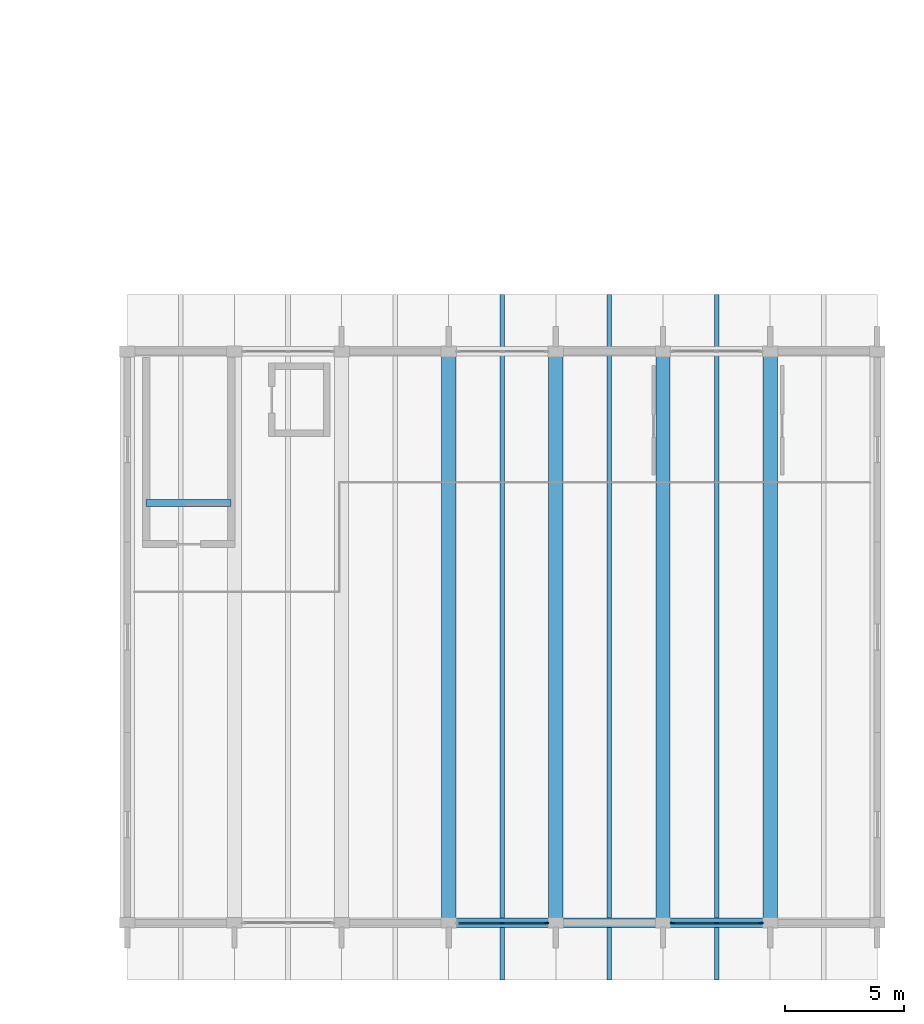
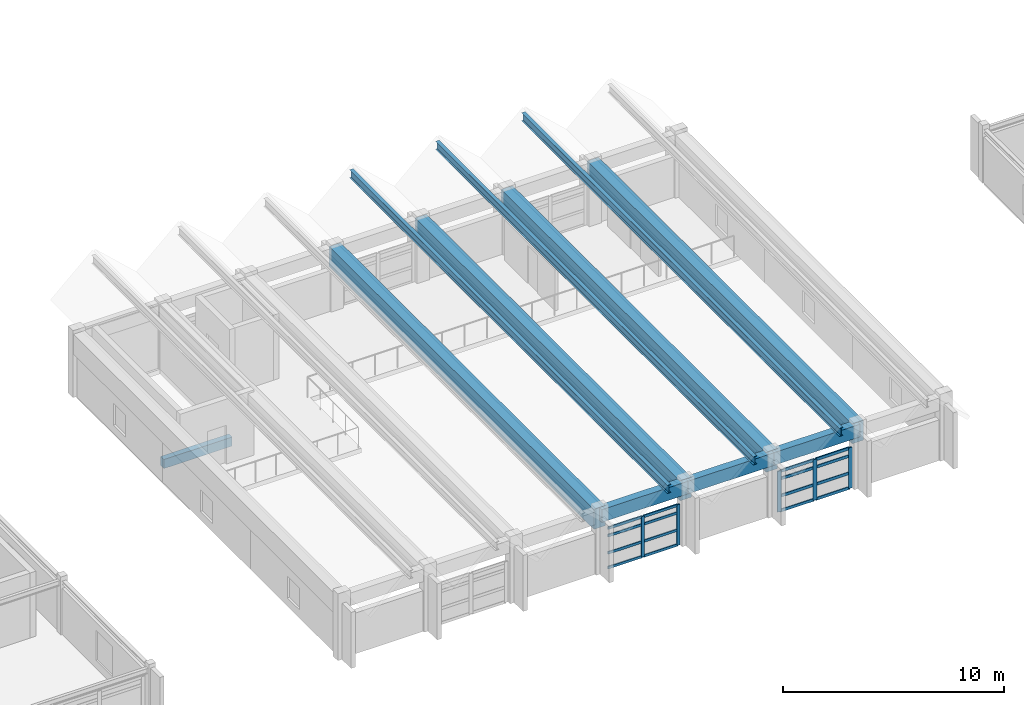
# One storey, part 14 of 83: 21 members, 11 beams, 2 elements without a shape of their own.
"""IFC4 building model written with IfcOpenShell, lengths in metres."""

from ifc_helpers import new_model, si_unit, direction, frame, origin, origin_2d, place, context, subcontext, project, spatial, rectangle, i_section, extrude, material, material_profile, profile_set, type_object, element, aggregate, save


model = new_model("IFC4")

# Units and contexts
model_context = context("Model", 3, precision=1e-05, world=origin(), true_north=direction((0.0, 1.0)))
body_context = subcontext(model_context, "Body", "Model", "MODEL_VIEW")
ifc_project = project(units=[si_unit("LENGTHUNIT", "METRE"), si_unit("AREAUNIT", "SQUARE_METRE"), si_unit("VOLUMEUNIT", "CUBIC_METRE"), si_unit("PLANEANGLEUNIT", "RADIAN"), si_unit("MASSUNIT", "GRAM", prefix="KILO")], contexts=[model_context])

# Site, building, storey
site_placement = place(None, origin())
site = spatial("IfcSite", under=ifc_project, at=site_placement, CompositionType="ELEMENT")
building_placement = place(site_placement, origin())
building = spatial("IfcBuilding", under=site, at=building_placement, Name="Zimvara Arc Housing Community", CompositionType="ELEMENT")
storey_placement = place(building_placement, frame((0.0, 0.0, 4.5)))
storey = spatial("IfcBuildingStorey", under=building, at=storey_placement, Name="L01", CompositionType="ELEMENT", Elevation=4.5)

# Beams
ifc_material_1 = material(Name="Concrete C40/50", Category="concrete")
ifc_material_profile_1 = material_profile(ifc_material_1, rectangle(XDim=0.300048828125, YDim=0.5, at=origin_2d()), Name="RC 300x500")
ifc_profile_set_1 = profile_set([ifc_material_profile_1], Name="Concrete C40/50")
beam_type_1 = type_object("IfcBeamType", Name="BM-RC-300x500", PredefinedType="BEAM", material=ifc_profile_set_1)
beam_placement = place(storey_placement, frame((72.364990234375, 21.22998046875, -0.25), z_axis=(-1.0, 0.0, 0.0), x_axis=(0.0, -1.0, 0.0)))
element("IfcBeam", 1, at=beam_placement, inside=storey, type_object=beam_type_1, Name="bm:stair_trim:ST-H1:L01:near", PredefinedType="BEAM", context=body_context, shape_type="SweptSolid", body=[
    extrude(rectangle(XDim=0.300048828125, YDim=0.5, at=origin_2d()), origin(), (0.0, 0.0, 1.0), 3.570068359375),
])
ifc_material_2 = material(Name="Concrete C40/50", Category="concrete")
ifc_material_profile_2 = material_profile(ifc_material_2, rectangle(XDim=0.39990234375, YDim=0.699951171875, at=origin_2d()), Name="RC 400x700")
ifc_profile_set_2 = profile_set([ifc_material_profile_2], Name="Concrete C40/50")
beam_type_2 = type_object("IfcBeamType", Name="BM-RC-400x700", PredefinedType="BEAM", material=ifc_profile_set_2)
for number, where, z_axis, x_axis, name in (
    (2, (81.5, 3.60009765625, 3.14990234375), (1.0, 0.0, 0.0), (0.0, 1.0, 0.0), "bm:hall:L01:eave:y0:b3"),
    (3, (86.0, 3.60009765625, 3.14990234375), (1.0, 0.0, 0.0), (0.0, 1.0, 0.0), "bm:hall:L01:eave:y0:b4"),
    (4, (90.5, 3.60009765625, 3.14990234375), (1.0, 0.0, 0.0), (0.0, 1.0, 0.0), "bm:hall:L01:eave:y0:b5"),
):
    element("IfcBeam", number, at=place(storey_placement, frame(where, z_axis=z_axis, x_axis=x_axis)), inside=storey, type_object=beam_type_2, Name=name, PredefinedType="BEAM", context=body_context, shape_type="SweptSolid", body=[
        extrude(rectangle(XDim=0.39990234375, YDim=0.699951171875, at=origin_2d()), origin(), (0.0, 0.0, 1.0), 4.5),
    ])
ifc_material_3 = material(Name="Concrete C40/50", Category="concrete")
ifc_material_profile_3 = material_profile(ifc_material_3, rectangle(XDim=0.60009765625, YDim=1.10009765625, at=origin_2d()), Name="RC 600x1100")
ifc_profile_set_3 = profile_set([ifc_material_profile_3], Name="Concrete C40/50")
beam_type_3 = type_object("IfcBeamType", Name="BM-RC-600x1100", PredefinedType="BEAM", material=ifc_profile_set_3)
for number, where, z_axis, x_axis, name in (
    (5, (81.5, 3.60009765625, 2.949951171875), (0.0, 1.0, 0.0), (-1.0, 0.0, 0.0), "bm:hall:L01:valley:b3"),
    (6, (86.0, 3.60009765625, 2.949951171875), (0.0, 1.0, 0.0), (-1.0, 0.0, 0.0), "bm:hall:L01:valley:b4"),
    (7, (90.5, 3.60009765625, 2.949951171875), (0.0, 1.0, 0.0), (-1.0, 0.0, 0.0), "bm:hall:L01:valley:b5"),
    (8, (95.0, 3.60009765625, 2.949951171875), (0.0, 1.0, 0.0), (-1.0, 0.0, 0.0), "bm:hall:L01:valley:b6"),
):
    element("IfcBeam", number, at=place(storey_placement, frame(where, z_axis=z_axis, x_axis=x_axis)), inside=storey, type_object=beam_type_3, Name=name, PredefinedType="BEAM", context=body_context, shape_type="SweptSolid", body=[
        extrude(rectangle(XDim=0.60009765625, YDim=1.10009765625, at=origin_2d()), origin(), (0.0, 0.0, 1.0), 24.0),
    ])
ifc_material_4 = material(Name="Steel S355", Category="steel")
ifc_material_profile_4 = material_profile(ifc_material_4, i_section(OverallWidth=0.18994140625, OverallDepth=0.449951171875, WebThickness=0.009521484375, FlangeThickness=0.0146484375, FilletRadius=0.02099609375, at=origin_2d()), Name="IPE 450")
ifc_profile_set_4 = profile_set([ifc_material_profile_4], Name="Steel S355")
beam_type_4 = type_object("IfcBeamType", Name="BM-ST-IPE450", PredefinedType="BEAM", material=ifc_profile_set_4)
for number, where, z_axis, x_axis, name in (
    (9, (83.75, 1.199951171875, 5.199951171875), (0.0, 1.0, 0.0), (-1.0, 0.0, 0.0), "bm:hall:L01:ridge:b3"),
    (10, (88.25, 1.199951171875, 5.199951171875), (0.0, 1.0, 0.0), (-1.0, 0.0, 0.0), "bm:hall:L01:ridge:b4"),
    (11, (92.75, 1.199951171875, 5.199951171875), (0.0, 1.0, 0.0), (-1.0, 0.0, 0.0), "bm:hall:L01:ridge:b5"),
):
    element("IfcBeam", number, at=place(storey_placement, frame(where, z_axis=z_axis, x_axis=x_axis)), inside=storey, type_object=beam_type_4, Name=name, PredefinedType="BEAM", context=body_context, shape_type="SweptSolid", body=[
        extrude(i_section(OverallWidth=0.18994140625, OverallDepth=0.449951171875, WebThickness=0.009521484375, FlangeThickness=0.0146484375, FilletRadius=0.02099609375, at=origin_2d()), origin(), (0.0, 0.0, 1.0), 28.800048828125),
    ])

# Curtain wall, members
ifc_material_5 = material(Name="Anodised Aluminium AW-6063", Category="aluminium")
curtain_wall_type_1 = type_object("IfcCurtainWallType", Name="CW-SYS-04", PredefinedType="USERDEFINED", material=ifc_material_5)
curtain_wall_1_placement = place(storey_placement, origin())
curtain_wall_1 = element("IfcCurtainWall", 12, at=curtain_wall_1_placement, inside=storey, type_object=curtain_wall_type_1, Name="cw:hall:L01:south:b3", ObjectType="CURTAIN WALL", PredefinedType="USERDEFINED")
ifc_material_6 = material(Name="Anodised Aluminium AW-6063", Category="aluminium")
ifc_material_profile_5 = material_profile(ifc_material_6, rectangle(XDim=0.06494140625, YDim=0.179931640625, at=origin_2d()), Name="ALU 65x180")
ifc_profile_set_5 = profile_set([ifc_material_profile_5], Name="Anodised Aluminium AW-6063")
member_type_1 = type_object("IfcMemberType", Name="CWM-65x150", PredefinedType="MULLION", material=ifc_profile_set_5)
member_1_placement = place(storey_placement, frame((83.75, 3.60009765625, 0.0), z_axis=(0.0, 0.0, 1.0), x_axis=(0.0, 1.0, 0.0)))
member_1 = element("IfcMember", 13, at=member_1_placement, type_object=member_type_1, Name="CW04 mullion 2", PredefinedType="MULLION", context=body_context, shape_type="SweptSolid", body=[
    extrude(rectangle(XDim=0.06494140625, YDim=0.179931640625, at=origin_2d()), origin(), (0.0, 0.0, 1.0), 2.25),
])
member_2_placement = place(storey_placement, frame((85.607421875, 3.60009765625, 0.0), z_axis=(0.0, 0.0, 1.0), x_axis=(0.0, 1.0, 0.0)))
member_2 = element("IfcMember", 14, at=member_2_placement, type_object=member_type_1, Name="CW04 mullion 3", PredefinedType="MULLION", context=body_context, shape_type="SweptSolid", body=[
    extrude(rectangle(XDim=0.06494140625, YDim=0.179931640625, at=origin_2d()), origin(), (0.0, 0.0, 1.0), 2.25),
])

ifc_material_7 = material(Name="Anodised Aluminium AW-6063", Category="aluminium")
curtain_wall_type_2 = type_object("IfcCurtainWallType", Name="CW-SYS-05", PredefinedType="USERDEFINED", material=ifc_material_7)
curtain_wall_2_placement = place(storey_placement, origin())
curtain_wall_2 = element("IfcCurtainWall", 15, at=curtain_wall_2_placement, inside=storey, type_object=curtain_wall_type_2, Name="cw:hall:L01:south:b5", ObjectType="CURTAIN WALL", PredefinedType="USERDEFINED")
ifc_material_8 = material(Name="Anodised Aluminium AW-6063", Category="aluminium")
ifc_material_profile_6 = material_profile(ifc_material_8, rectangle(XDim=0.06494140625, YDim=0.195068359375, at=origin_2d()), Name="ALU 65x195")
ifc_profile_set_6 = profile_set([ifc_material_profile_6], Name="Anodised Aluminium AW-6063")
member_type_2 = type_object("IfcMemberType", Name="CWM-65x180", PredefinedType="MULLION", material=ifc_profile_set_6)
member_3_placement = place(storey_placement, frame((90.892578125, 3.60009765625, 0.0), z_axis=(0.0, 0.0, 1.0), x_axis=(0.0, 1.0, 0.0)))
member_3 = element("IfcMember", 16, at=member_3_placement, type_object=member_type_2, Name="CW05 mullion 1", PredefinedType="MULLION", context=body_context, shape_type="SweptSolid", body=[
    extrude(rectangle(XDim=0.06494140625, YDim=0.195068359375, at=origin_2d()), origin(), (0.0, 0.0, 1.0), 2.25),
])
member_4_placement = place(storey_placement, frame((92.75, 3.60009765625, 0.0), z_axis=(0.0, 0.0, 1.0), x_axis=(0.0, 1.0, 0.0)))
member_4 = element("IfcMember", 17, at=member_4_placement, type_object=member_type_2, Name="CW05 mullion 2", PredefinedType="MULLION", context=body_context, shape_type="SweptSolid", body=[
    extrude(rectangle(XDim=0.06494140625, YDim=0.195068359375, at=origin_2d()), origin(), (0.0, 0.0, 1.0), 2.25),
])
member_5_placement = place(storey_placement, frame((94.607421875, 3.60009765625, 0.0), z_axis=(0.0, 0.0, 1.0), x_axis=(0.0, 1.0, 0.0)))
member_5 = element("IfcMember", 18, at=member_5_placement, type_object=member_type_2, Name="CW05 mullion 3", PredefinedType="MULLION", context=body_context, shape_type="SweptSolid", body=[
    extrude(rectangle(XDim=0.06494140625, YDim=0.195068359375, at=origin_2d()), origin(), (0.0, 0.0, 1.0), 2.25),
])

# Member
ifc_material_9 = material(Name="Anodised Aluminium AW-6063", Category="aluminium")
ifc_material_profile_7 = material_profile(ifc_material_9, rectangle(XDim=0.06494140625, YDim=0.139892578125, at=origin_2d()), Name="ALU 65x140")
ifc_profile_set_7 = profile_set([ifc_material_profile_7], Name="Anodised Aluminium AW-6063")
member_type_3 = type_object("IfcMemberType", Name="CWT-65x120", PredefinedType="USERDEFINED", material=ifc_profile_set_7)
member_6_placement = place(storey_placement, frame((81.925048828125, 3.60009765625, 0.032470703125), z_axis=(1.0, 0.0, 0.0), x_axis=(0.0, 1.0, 0.0)))
member_6 = element("IfcMember", 19, at=member_6_placement, type_object=member_type_3, Name="CW04 transom 1.1", ObjectType="TRANSOM", PredefinedType="USERDEFINED", context=body_context, shape_type="SweptSolid", body=[
    extrude(rectangle(XDim=0.06494140625, YDim=0.139892578125, at=origin_2d()), origin(), (0.0, 0.0, 1.0), 1.79248046875),
])

member_7_placement = place(storey_placement, frame((81.925048828125, 3.60009765625, 0.85009765625), z_axis=(1.0, 0.0, 0.0), x_axis=(0.0, 1.0, 0.0)))
member_7 = element("IfcMember", 20, at=member_7_placement, type_object=member_type_3, Name="CW04 transom 1.2", ObjectType="TRANSOM", PredefinedType="USERDEFINED", context=body_context, shape_type="SweptSolid", body=[
    extrude(rectangle(XDim=0.06494140625, YDim=0.139892578125, at=origin_2d()), origin(), (0.0, 0.0, 1.0), 1.79248046875),
])

member_8_placement = place(storey_placement, frame((81.925048828125, 3.60009765625, 1.800048828125), z_axis=(1.0, 0.0, 0.0), x_axis=(0.0, 1.0, 0.0)))
member_8 = element("IfcMember", 21, at=member_8_placement, type_object=member_type_3, Name="CW04 transom 1.3", ObjectType="TRANSOM", PredefinedType="USERDEFINED", context=body_context, shape_type="SweptSolid", body=[
    extrude(rectangle(XDim=0.06494140625, YDim=0.139892578125, at=origin_2d()), origin(), (0.0, 0.0, 1.0), 1.79248046875),
])

member_9_placement = place(storey_placement, frame((81.925048828125, 3.60009765625, 2.217529296875), z_axis=(1.0, 0.0, 0.0), x_axis=(0.0, 1.0, 0.0)))
member_9 = element("IfcMember", 22, at=member_9_placement, type_object=member_type_3, Name="CW04 transom 1.4", ObjectType="TRANSOM", PredefinedType="USERDEFINED", context=body_context, shape_type="SweptSolid", body=[
    extrude(rectangle(XDim=0.06494140625, YDim=0.139892578125, at=origin_2d()), origin(), (0.0, 0.0, 1.0), 1.79248046875),
])

member_10_placement = place(storey_placement, frame((83.782470703125, 3.60009765625, 0.032470703125), z_axis=(1.0, 0.0, 0.0), x_axis=(0.0, 1.0, 0.0)))
member_10 = element("IfcMember", 23, at=member_10_placement, type_object=member_type_3, Name="CW04 transom 2.1", ObjectType="TRANSOM", PredefinedType="USERDEFINED", context=body_context, shape_type="SweptSolid", body=[
    extrude(rectangle(XDim=0.06494140625, YDim=0.139892578125, at=origin_2d()), origin(), (0.0, 0.0, 1.0), 1.79248046875),
])

member_11_placement = place(storey_placement, frame((83.782470703125, 3.60009765625, 0.85009765625), z_axis=(1.0, 0.0, 0.0), x_axis=(0.0, 1.0, 0.0)))
member_11 = element("IfcMember", 24, at=member_11_placement, type_object=member_type_3, Name="CW04 transom 2.2", ObjectType="TRANSOM", PredefinedType="USERDEFINED", context=body_context, shape_type="SweptSolid", body=[
    extrude(rectangle(XDim=0.06494140625, YDim=0.139892578125, at=origin_2d()), origin(), (0.0, 0.0, 1.0), 1.79248046875),
])

member_12_placement = place(storey_placement, frame((83.782470703125, 3.60009765625, 1.800048828125), z_axis=(1.0, 0.0, 0.0), x_axis=(0.0, 1.0, 0.0)))
member_12 = element("IfcMember", 25, at=member_12_placement, type_object=member_type_3, Name="CW04 transom 2.3", ObjectType="TRANSOM", PredefinedType="USERDEFINED", context=body_context, shape_type="SweptSolid", body=[
    extrude(rectangle(XDim=0.06494140625, YDim=0.139892578125, at=origin_2d()), origin(), (0.0, 0.0, 1.0), 1.79248046875),
])

member_13_placement = place(storey_placement, frame((83.782470703125, 3.60009765625, 2.217529296875), z_axis=(1.0, 0.0, 0.0), x_axis=(0.0, 1.0, 0.0)))
member_13 = element("IfcMember", 26, at=member_13_placement, type_object=member_type_3, Name="CW04 transom 2.4", ObjectType="TRANSOM", PredefinedType="USERDEFINED", context=body_context, shape_type="SweptSolid", body=[
    extrude(rectangle(XDim=0.06494140625, YDim=0.139892578125, at=origin_2d()), origin(), (0.0, 0.0, 1.0), 1.79248046875),
])

aggregate(curtain_wall_1, [member_1, member_2, member_6, member_7, member_8, member_9, member_10, member_11, member_12, member_13])

ifc_material_10 = material(Name="Anodised Aluminium AW-6063", Category="aluminium")
ifc_material_profile_8 = material_profile(ifc_material_10, rectangle(XDim=0.06494140625, YDim=0.155029296875, at=origin_2d()), Name="ALU 65x155")
ifc_profile_set_8 = profile_set([ifc_material_profile_8], Name="Anodised Aluminium AW-6063")
member_type_4 = type_object("IfcMemberType", Name="CWT-65x140", PredefinedType="USERDEFINED", material=ifc_profile_set_8)
member_14_placement = place(storey_placement, frame((90.925048828125, 3.60009765625, 0.032470703125), z_axis=(1.0, 0.0, 0.0), x_axis=(0.0, 1.0, 0.0)))
member_14 = element("IfcMember", 27, at=member_14_placement, type_object=member_type_4, Name="CW05 transom 1.1", ObjectType="TRANSOM", PredefinedType="USERDEFINED", context=body_context, shape_type="SweptSolid", body=[
    extrude(rectangle(XDim=0.06494140625, YDim=0.155029296875, at=origin_2d()), origin(), (0.0, 0.0, 1.0), 1.79248046875),
])

member_15_placement = place(storey_placement, frame((90.925048828125, 3.60009765625, 0.85009765625), z_axis=(1.0, 0.0, 0.0), x_axis=(0.0, 1.0, 0.0)))
member_15 = element("IfcMember", 28, at=member_15_placement, type_object=member_type_4, Name="CW05 transom 1.2", ObjectType="TRANSOM", PredefinedType="USERDEFINED", context=body_context, shape_type="SweptSolid", body=[
    extrude(rectangle(XDim=0.06494140625, YDim=0.155029296875, at=origin_2d()), origin(), (0.0, 0.0, 1.0), 1.79248046875),
])

member_16_placement = place(storey_placement, frame((90.925048828125, 3.60009765625, 1.800048828125), z_axis=(1.0, 0.0, 0.0), x_axis=(0.0, 1.0, 0.0)))
member_16 = element("IfcMember", 29, at=member_16_placement, type_object=member_type_4, Name="CW05 transom 1.3", ObjectType="TRANSOM", PredefinedType="USERDEFINED", context=body_context, shape_type="SweptSolid", body=[
    extrude(rectangle(XDim=0.06494140625, YDim=0.155029296875, at=origin_2d()), origin(), (0.0, 0.0, 1.0), 1.79248046875),
])

member_17_placement = place(storey_placement, frame((90.925048828125, 3.60009765625, 2.217529296875), z_axis=(1.0, 0.0, 0.0), x_axis=(0.0, 1.0, 0.0)))
member_17 = element("IfcMember", 30, at=member_17_placement, type_object=member_type_4, Name="CW05 transom 1.4", ObjectType="TRANSOM", PredefinedType="USERDEFINED", context=body_context, shape_type="SweptSolid", body=[
    extrude(rectangle(XDim=0.06494140625, YDim=0.155029296875, at=origin_2d()), origin(), (0.0, 0.0, 1.0), 1.79248046875),
])

member_18_placement = place(storey_placement, frame((92.782470703125, 3.60009765625, 0.032470703125), z_axis=(1.0, 0.0, 0.0), x_axis=(0.0, 1.0, 0.0)))
member_18 = element("IfcMember", 31, at=member_18_placement, type_object=member_type_4, Name="CW05 transom 2.1", ObjectType="TRANSOM", PredefinedType="USERDEFINED", context=body_context, shape_type="SweptSolid", body=[
    extrude(rectangle(XDim=0.06494140625, YDim=0.155029296875, at=origin_2d()), origin(), (0.0, 0.0, 1.0), 1.79248046875),
])

member_19_placement = place(storey_placement, frame((92.782470703125, 3.60009765625, 0.85009765625), z_axis=(1.0, 0.0, 0.0), x_axis=(0.0, 1.0, 0.0)))
member_19 = element("IfcMember", 32, at=member_19_placement, type_object=member_type_4, Name="CW05 transom 2.2", ObjectType="TRANSOM", PredefinedType="USERDEFINED", context=body_context, shape_type="SweptSolid", body=[
    extrude(rectangle(XDim=0.06494140625, YDim=0.155029296875, at=origin_2d()), origin(), (0.0, 0.0, 1.0), 1.79248046875),
])

member_20_placement = place(storey_placement, frame((92.782470703125, 3.60009765625, 1.800048828125), z_axis=(1.0, 0.0, 0.0), x_axis=(0.0, 1.0, 0.0)))
member_20 = element("IfcMember", 33, at=member_20_placement, type_object=member_type_4, Name="CW05 transom 2.3", ObjectType="TRANSOM", PredefinedType="USERDEFINED", context=body_context, shape_type="SweptSolid", body=[
    extrude(rectangle(XDim=0.06494140625, YDim=0.155029296875, at=origin_2d()), origin(), (0.0, 0.0, 1.0), 1.79248046875),
])

member_21_placement = place(storey_placement, frame((92.782470703125, 3.60009765625, 2.217529296875), z_axis=(1.0, 0.0, 0.0), x_axis=(0.0, 1.0, 0.0)))
member_21 = element("IfcMember", 34, at=member_21_placement, type_object=member_type_4, Name="CW05 transom 2.4", ObjectType="TRANSOM", PredefinedType="USERDEFINED", context=body_context, shape_type="SweptSolid", body=[
    extrude(rectangle(XDim=0.06494140625, YDim=0.155029296875, at=origin_2d()), origin(), (0.0, 0.0, 1.0), 1.79248046875),
])

aggregate(curtain_wall_2, [member_3, member_4, member_5, member_14, member_15, member_16, member_17, member_18, member_19, member_20, member_21])

save(model, "model.ifc")
